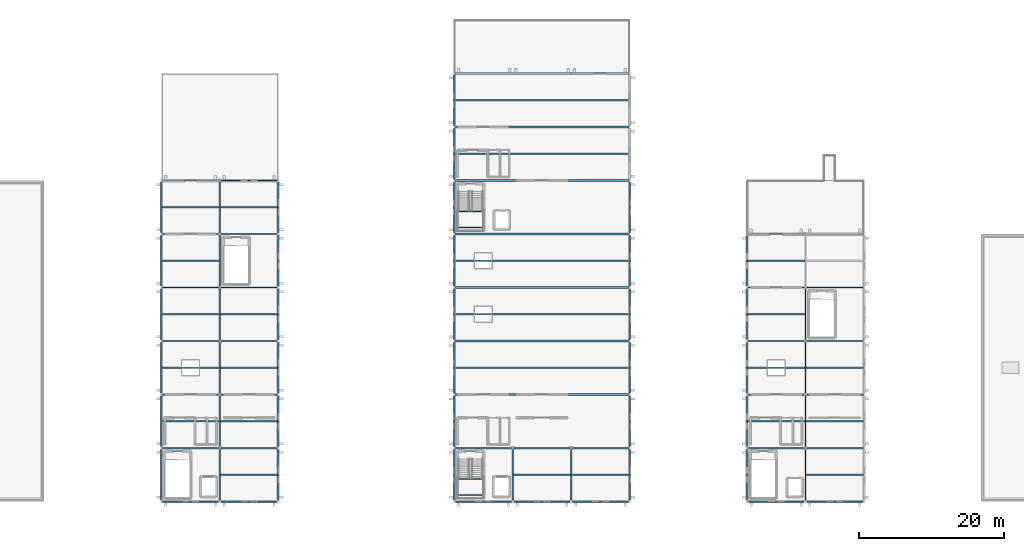
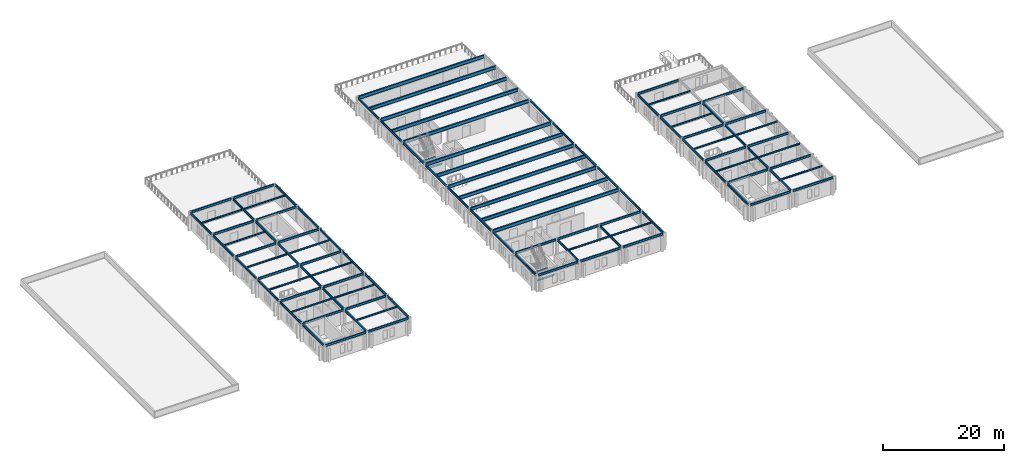
# One storey, part 6 of 19: 109 beams.
"""IFC4 building model written with IfcOpenShell, lengths in metres."""

from ifc_helpers import new_model, si_unit, direction, frame, origin, origin_2d, place, context, subcontext, project, spatial, i_section, extrude, material, material_profile, profile_set, type_object, element, save


model = new_model("IFC4")

# Units and contexts
model_context = context("Model", 3, precision=1e-05, world=origin(), true_north=direction((0.0, 1.0)))
body_context = subcontext(model_context, "Body", "Model", "MODEL_VIEW")
ifc_project = project(units=[si_unit("LENGTHUNIT", "METRE"), si_unit("AREAUNIT", "SQUARE_METRE"), si_unit("VOLUMEUNIT", "CUBIC_METRE"), si_unit("PLANEANGLEUNIT", "RADIAN"), si_unit("MASSUNIT", "GRAM", prefix="KILO")], contexts=[model_context])

# Site, building, storey
site_placement = place(None, origin())
site = spatial("IfcSite", under=ifc_project, at=site_placement, CompositionType="ELEMENT")
building_placement = place(site_placement, origin())
building = spatial("IfcBuilding", under=site, at=building_placement, Name="Cimatlan Art Gallery", CompositionType="ELEMENT")
storey_placement = place(building_placement, frame((0.0, 0.0, 17.39990234375)))
storey = spatial("IfcBuildingStorey", under=building, at=storey_placement, Name="L04", CompositionType="ELEMENT", Elevation=17.39990234375)

# Beams
ifc_material = material(Name="Steel ASTM A992 Grade 50", Category="steel")
ifc_material_profile_1 = material_profile(ifc_material, i_section(OverallWidth=0.25390625, OverallDepth=0.68408203125, WebThickness=0.012451171875, FlangeThickness=0.018798828125, at=origin_2d()), Name="W27X94")
ifc_profile_set_1 = profile_set([ifc_material_profile_1], Name="Steel ASTM A992 Grade 50")
beam_type_1 = type_object("IfcBeamType", Name="BM-SPAN24-L05", PredefinedType="BEAM", material=ifc_profile_set_1)
beam_1_placement = place(storey_placement, frame((75.096923828125, 38.699951171875, 3.0380859375), z_axis=(1.0, 0.0, 0.0), x_axis=(0.0, 1.0, 0.0)))
element("IfcBeam", 1, at=beam_1_placement, inside=storey, type_object=beam_type_1, Name="BM-SP24-L04-05", PredefinedType="BEAM", context=body_context, shape_type="SweptSolid", body=[
    extrude(i_section(OverallWidth=0.25390625, OverallDepth=0.68408203125, WebThickness=0.012451171875, FlangeThickness=0.018798828125, at=origin_2d()), origin(), (0.0, 0.0, 1.0), 23.906005859375),
])
beam_2_placement = place(storey_placement, frame((74.99560546875, 42.39990234375, 3.0380859375), z_axis=(1.0, 0.0, 0.0), x_axis=(0.0, 1.0, 0.0)))
element("IfcBeam", 2, at=beam_2_placement, inside=storey, type_object=beam_type_1, Name="BM-SP24M-L04-05", PredefinedType="BEAM", context=body_context, shape_type="SweptSolid", body=[
    extrude(i_section(OverallWidth=0.25390625, OverallDepth=0.68408203125, WebThickness=0.012451171875, FlangeThickness=0.018798828125, at=origin_2d()), origin(), (0.0, 0.0, 1.0), 24.10888671875),
])
beam_3_placement = place(storey_placement, frame((75.096923828125, 46.10009765625, 3.0380859375), z_axis=(1.0, 0.0, 0.0), x_axis=(0.0, 1.0, 0.0)))
element("IfcBeam", 3, at=beam_3_placement, inside=storey, type_object=beam_type_1, Name="BM-SP24-L04-06", PredefinedType="BEAM", context=body_context, shape_type="SweptSolid", body=[
    extrude(i_section(OverallWidth=0.25390625, OverallDepth=0.68408203125, WebThickness=0.012451171875, FlangeThickness=0.018798828125, at=origin_2d()), origin(), (0.0, 0.0, 1.0), 23.906005859375),
])
beam_4_placement = place(storey_placement, frame((74.99560546875, 49.800048828125, 3.0380859375), z_axis=(1.0, 0.0, 0.0), x_axis=(0.0, 1.0, 0.0)))
element("IfcBeam", 4, at=beam_4_placement, inside=storey, type_object=beam_type_1, Name="BM-SP24M-L04-06", PredefinedType="BEAM", context=body_context, shape_type="SweptSolid", body=[
    extrude(i_section(OverallWidth=0.25390625, OverallDepth=0.68408203125, WebThickness=0.012451171875, FlangeThickness=0.018798828125, at=origin_2d()), origin(), (0.0, 0.0, 1.0), 24.10888671875),
])
beam_5_placement = place(storey_placement, frame((75.096923828125, 53.5, 3.0380859375), z_axis=(1.0, 0.0, 0.0), x_axis=(0.0, 1.0, 0.0)))
element("IfcBeam", 5, at=beam_5_placement, inside=storey, type_object=beam_type_1, Name="BM-SP24-L04-07", PredefinedType="BEAM", context=body_context, shape_type="SweptSolid", body=[
    extrude(i_section(OverallWidth=0.25390625, OverallDepth=0.68408203125, WebThickness=0.012451171875, FlangeThickness=0.018798828125, at=origin_2d()), origin(), (0.0, 0.0, 1.0), 23.906005859375),
])
beam_6_placement = place(storey_placement, frame((74.99560546875, 57.199951171875, 3.0380859375), z_axis=(1.0, 0.0, 0.0), x_axis=(0.0, 1.0, 0.0)))
element("IfcBeam", 6, at=beam_6_placement, inside=storey, type_object=beam_type_1, Name="BM-SP24M-L04-07", PredefinedType="BEAM", context=body_context, shape_type="SweptSolid", body=[
    extrude(i_section(OverallWidth=0.25390625, OverallDepth=0.68408203125, WebThickness=0.012451171875, FlangeThickness=0.018798828125, at=origin_2d()), origin(), (0.0, 0.0, 1.0), 24.10888671875),
])
for number, where, z_axis, x_axis, name in (
    (7, (75.096923828125, 60.89990234375, 3.0380859375), (1.0, 0.0, 0.0), (0.0, 1.0, 0.0), "BM-SP24-L04-08"),
    (8, (75.096923828125, 68.300048828125, 3.0380859375), (1.0, 0.0, 0.0), (0.0, 1.0, 0.0), "BM-SP24-L04-09"),
):
    element("IfcBeam", number, at=place(storey_placement, frame(where, z_axis=z_axis, x_axis=x_axis)), inside=storey, type_object=beam_type_1, Name=name, PredefinedType="BEAM", context=body_context, shape_type="SweptSolid", body=[
        extrude(i_section(OverallWidth=0.25390625, OverallDepth=0.68408203125, WebThickness=0.012451171875, FlangeThickness=0.018798828125, at=origin_2d()), origin(), (0.0, 0.0, 1.0), 23.906005859375),
    ])
beam_7_placement = place(storey_placement, frame((74.99560546875, 72.0, 3.0380859375), z_axis=(1.0, 0.0, 0.0), x_axis=(0.0, 1.0, 0.0)))
element("IfcBeam", 9, at=beam_7_placement, inside=storey, type_object=beam_type_1, Name="BM-SP24M-L04-09", PredefinedType="BEAM", context=body_context, shape_type="SweptSolid", body=[
    extrude(i_section(OverallWidth=0.25390625, OverallDepth=0.68408203125, WebThickness=0.012451171875, FlangeThickness=0.018798828125, at=origin_2d()), origin(), (0.0, 0.0, 1.0), 24.10888671875),
])
beam_8_placement = place(storey_placement, frame((75.096923828125, 75.699951171875, 3.0380859375), z_axis=(1.0, 0.0, 0.0), x_axis=(0.0, 1.0, 0.0)))
element("IfcBeam", 10, at=beam_8_placement, inside=storey, type_object=beam_type_1, Name="BM-SP24-L04-10", PredefinedType="BEAM", context=body_context, shape_type="SweptSolid", body=[
    extrude(i_section(OverallWidth=0.25390625, OverallDepth=0.68408203125, WebThickness=0.012451171875, FlangeThickness=0.018798828125, at=origin_2d()), origin(), (0.0, 0.0, 1.0), 23.906005859375),
])
beam_9_placement = place(storey_placement, frame((74.99560546875, 79.39990234375, 3.0380859375), z_axis=(1.0, 0.0, 0.0), x_axis=(0.0, 1.0, 0.0)))
element("IfcBeam", 11, at=beam_9_placement, inside=storey, type_object=beam_type_1, Name="BM-SP24M-L04-10", PredefinedType="BEAM", context=body_context, shape_type="SweptSolid", body=[
    extrude(i_section(OverallWidth=0.25390625, OverallDepth=0.68408203125, WebThickness=0.012451171875, FlangeThickness=0.018798828125, at=origin_2d()), origin(), (0.0, 0.0, 1.0), 24.10888671875),
])
beam_10_placement = place(storey_placement, frame((75.096923828125, 83.10009765625, 3.0380859375), z_axis=(1.0, 0.0, 0.0), x_axis=(0.0, 1.0, 0.0)))
element("IfcBeam", 12, at=beam_10_placement, inside=storey, type_object=beam_type_1, Name="BM-SP24-L04-11", PredefinedType="BEAM", context=body_context, shape_type="SweptSolid", body=[
    extrude(i_section(OverallWidth=0.25390625, OverallDepth=0.68408203125, WebThickness=0.012451171875, FlangeThickness=0.018798828125, at=origin_2d()), origin(), (0.0, 0.0, 1.0), 23.906005859375),
])
ifc_material_profile_2 = material_profile(ifc_material, i_section(OverallWidth=0.1650390625, OverallDepth=0.31005859375, WebThickness=0.005859375, FlangeThickness=0.009765625, at=origin_2d()), Name="W12X26")
ifc_profile_set_2 = profile_set([ifc_material_profile_2], Name="Steel ASTM A992 Grade 50")
beam_type_2 = type_object("IfcBeamType", Name="BM-STL-W12X26", PredefinedType="JOIST", material=ifc_profile_set_2)
for number, where, z_axis, x_axis, name in (
    (13, (34.49560546875, 35.0, 3.22509765625), (1.0, 0.0, 0.0), (0.0, 1.0, 0.0), "JST-L04-04-04"),
    (14, (34.49560546875, 42.39990234375, 3.22509765625), (1.0, 0.0, 0.0), (0.0, 1.0, 0.0), "JST-L04-04-05"),
    (15, (34.49560546875, 49.800048828125, 3.22509765625), (1.0, 0.0, 0.0), (0.0, 1.0, 0.0), "JST-L04-04-06"),
    (16, (34.49560546875, 57.199951171875, 3.22509765625), (1.0, 0.0, 0.0), (0.0, 1.0, 0.0), "JST-L04-04-07"),
    (17, (34.49560546875, 64.60009765625, 3.22509765625), (1.0, 0.0, 0.0), (0.0, 1.0, 0.0), "JST-L04-04-08"),
    (18, (42.595458984375, 27.60009765625, 3.22509765625), (1.0, 0.0, 0.0), (0.0, 1.0, 0.0), "JST-L04-05-03"),
    (19, (42.595458984375, 35.0, 3.22509765625), (1.0, 0.0, 0.0), (0.0, 1.0, 0.0), "JST-L04-05-04"),
    (20, (42.595458984375, 42.39990234375, 3.22509765625), (1.0, 0.0, 0.0), (0.0, 1.0, 0.0), "JST-L04-05-05"),
    (21, (42.595458984375, 49.800048828125, 3.22509765625), (1.0, 0.0, 0.0), (0.0, 1.0, 0.0), "JST-L04-05-06"),
    (22, (42.595458984375, 64.60009765625, 3.22509765625), (1.0, 0.0, 0.0), (0.0, 1.0, 0.0), "JST-L04-05-08"),
    (23, (83.095458984375, 27.60009765625, 3.22509765625), (1.0, 0.0, 0.0), (0.0, 1.0, 0.0), "JST-L04-10-03"),
    (24, (91.195556640625, 27.60009765625, 3.22509765625), (1.0, 0.0, 0.0), (0.0, 1.0, 0.0), "JST-L04-11-03"),
    (25, (115.49560546875, 35.0, 3.22509765625), (1.0, 0.0, 0.0), (0.0, 1.0, 0.0), "JST-L04-14-04"),
    (26, (115.49560546875, 42.39990234375, 3.22509765625), (1.0, 0.0, 0.0), (0.0, 1.0, 0.0), "JST-L04-14-05"),
    (27, (115.49560546875, 49.800048828125, 3.22509765625), (1.0, 0.0, 0.0), (0.0, 1.0, 0.0), "JST-L04-14-06"),
    (28, (115.49560546875, 57.199951171875, 3.22509765625), (1.0, 0.0, 0.0), (0.0, 1.0, 0.0), "JST-L04-14-07"),
    (29, (123.595458984375, 27.60009765625, 3.22509765625), (1.0, 0.0, 0.0), (0.0, 1.0, 0.0), "JST-L04-15-03"),
    (30, (123.595458984375, 35.0, 3.22509765625), (1.0, 0.0, 0.0), (0.0, 1.0, 0.0), "JST-L04-15-04"),
    (31, (123.595458984375, 42.39990234375, 3.22509765625), (1.0, 0.0, 0.0), (0.0, 1.0, 0.0), "JST-L04-15-05"),
):
    element("IfcBeam", number, at=place(storey_placement, frame(where, z_axis=z_axis, x_axis=x_axis)), inside=storey, type_object=beam_type_2, Name=name, PredefinedType="JOIST", context=body_context, shape_type="SweptSolid", body=[
        extrude(i_section(OverallWidth=0.1650390625, OverallDepth=0.31005859375, WebThickness=0.005859375, FlangeThickness=0.009765625, at=origin_2d()), origin(), (0.0, 0.0, 1.0), 7.908935546875),
    ])
for number, where, z_axis, x_axis, name in (
    (32, (75.514892578125, 24.800048828125, 1.425048828125), (1.0, 0.0, 0.0), (0.0, 1.0, 0.0), "BM-STR-C3-L04-LH1"),
    (33, (75.514892578125, 27.030029296875, 1.425048828125), (1.0, 0.0, 0.0), (0.0, 1.0, 0.0), "BM-STR-C3-L04-LH2"),
    (34, (75.514892578125, 61.800048828125, 1.425048828125), (1.0, 0.0, 0.0), (0.0, 1.0, 0.0), "BM-STR-C6-L04-LH1"),
    (35, (75.514892578125, 64.030029296875, 1.425048828125), (1.0, 0.0, 0.0), (0.0, 1.0, 0.0), "BM-STR-C6-L04-LH2"),
):
    element("IfcBeam", number, at=place(storey_placement, frame(where, z_axis=z_axis, x_axis=x_axis)), inside=storey, type_object=beam_type_2, Name=name, PredefinedType="JOIST", context=body_context, shape_type="SweptSolid", body=[
        extrude(i_section(OverallWidth=0.1650390625, OverallDepth=0.31005859375, WebThickness=0.005859375, FlangeThickness=0.009765625, at=origin_2d()), origin(), (0.0, 0.0, 1.0), 3.2900390625),
    ])
ifc_material_profile_3 = material_profile(ifc_material, i_section(OverallWidth=0.19091796875, OverallDepth=0.45703125, WebThickness=0.009033203125, FlangeThickness=0.014404296875, at=origin_2d()), Name="W18X50")
ifc_profile_set_3 = profile_set([ifc_material_profile_3], Name="Steel ASTM A992 Grade 50")
beam_type_3 = type_object("IfcBeamType", Name="BM-STL-W18X50", PredefinedType="BEAM", material=ifc_profile_set_3)
beam_11_placement = place(storey_placement, frame((34.39990234375, 24.08203125, 3.151611328125), z_axis=(0.0, 1.0, 0.0), x_axis=(-1.0, 0.0, 0.0)))
element("IfcBeam", 36, at=beam_11_placement, inside=storey, type_object=beam_type_3, Name="BM-Y-L04-04-03", PredefinedType="BEAM", context=body_context, shape_type="SweptSolid", body=[
    extrude(i_section(OverallWidth=0.19091796875, OverallDepth=0.45703125, WebThickness=0.009033203125, FlangeThickness=0.014404296875, at=origin_2d()), origin(), (0.0, 0.0, 1.0), 7.035888671875),
])
beam_12_placement = place(storey_placement, frame((34.39990234375, 31.48193359375, 3.151611328125), z_axis=(0.0, 1.0, 0.0), x_axis=(-1.0, 0.0, 0.0)))
element("IfcBeam", 37, at=beam_12_placement, inside=storey, type_object=beam_type_3, Name="BM-Y-L04-04-04", PredefinedType="BEAM", context=body_context, shape_type="SweptSolid", body=[
    extrude(i_section(OverallWidth=0.19091796875, OverallDepth=0.45703125, WebThickness=0.009033203125, FlangeThickness=0.014404296875, at=origin_2d()), origin(), (0.0, 0.0, 1.0), 7.0361328125),
])
beam_13_placement = place(storey_placement, frame((34.39990234375, 38.882080078125, 3.151611328125), z_axis=(0.0, 1.0, 0.0), x_axis=(-1.0, 0.0, 0.0)))
element("IfcBeam", 38, at=beam_13_placement, inside=storey, type_object=beam_type_3, Name="BM-Y-L04-04-05", PredefinedType="BEAM", context=body_context, shape_type="SweptSolid", body=[
    extrude(i_section(OverallWidth=0.19091796875, OverallDepth=0.45703125, WebThickness=0.009033203125, FlangeThickness=0.014404296875, at=origin_2d()), origin(), (0.0, 0.0, 1.0), 7.035888671875),
])
for number, where, z_axis, x_axis, name in (
    (39, (34.39990234375, 46.281982421875, 3.151611328125), (0.0, 1.0, 0.0), (-1.0, 0.0, 0.0), "BM-Y-L04-04-06"),
    (40, (34.39990234375, 53.681884765625, 3.151611328125), (0.0, 1.0, 0.0), (-1.0, 0.0, 0.0), "BM-Y-L04-04-07"),
):
    element("IfcBeam", number, at=place(storey_placement, frame(where, z_axis=z_axis, x_axis=x_axis)), inside=storey, type_object=beam_type_3, Name=name, PredefinedType="BEAM", context=body_context, shape_type="SweptSolid", body=[
        extrude(i_section(OverallWidth=0.19091796875, OverallDepth=0.45703125, WebThickness=0.009033203125, FlangeThickness=0.014404296875, at=origin_2d()), origin(), (0.0, 0.0, 1.0), 7.0361328125),
    ])
beam_14_placement = place(storey_placement, frame((34.39990234375, 61.08203125, 3.151611328125), z_axis=(0.0, 1.0, 0.0), x_axis=(-1.0, 0.0, 0.0)))
element("IfcBeam", 41, at=beam_14_placement, inside=storey, type_object=beam_type_3, Name="BM-Y-L04-04-08", PredefinedType="BEAM", context=body_context, shape_type="SweptSolid", body=[
    extrude(i_section(OverallWidth=0.19091796875, OverallDepth=0.45703125, WebThickness=0.009033203125, FlangeThickness=0.014404296875, at=origin_2d()), origin(), (0.0, 0.0, 1.0), 7.035888671875),
])
beam_15_placement = place(storey_placement, frame((42.5, 24.0859375, 3.151611328125), z_axis=(0.0, 1.0, 0.0), x_axis=(-1.0, 0.0, 0.0)))
element("IfcBeam", 42, at=beam_15_placement, inside=storey, type_object=beam_type_3, Name="BM-Y-L04-05-03", PredefinedType="BEAM", context=body_context, shape_type="SweptSolid", body=[
    extrude(i_section(OverallWidth=0.19091796875, OverallDepth=0.45703125, WebThickness=0.009033203125, FlangeThickness=0.014404296875, at=origin_2d()), origin(), (0.0, 0.0, 1.0), 7.028076171875),
])
beam_16_placement = place(storey_placement, frame((42.5, 31.486083984375, 3.151611328125), z_axis=(0.0, 1.0, 0.0), x_axis=(-1.0, 0.0, 0.0)))
element("IfcBeam", 43, at=beam_16_placement, inside=storey, type_object=beam_type_3, Name="BM-Y-L04-05-04", PredefinedType="BEAM", context=body_context, shape_type="SweptSolid", body=[
    extrude(i_section(OverallWidth=0.19091796875, OverallDepth=0.45703125, WebThickness=0.009033203125, FlangeThickness=0.014404296875, at=origin_2d()), origin(), (0.0, 0.0, 1.0), 7.02783203125),
])
for number, where, z_axis, x_axis, name in (
    (44, (42.5, 38.885986328125, 3.151611328125), (0.0, 1.0, 0.0), (-1.0, 0.0, 0.0), "BM-Y-L04-05-05"),
    (45, (42.5, 46.285888671875, 3.151611328125), (0.0, 1.0, 0.0), (-1.0, 0.0, 0.0), "BM-Y-L04-05-06"),
    (46, (42.5, 53.68603515625, 3.151611328125), (0.0, 1.0, 0.0), (-1.0, 0.0, 0.0), "BM-Y-L04-05-07"),
    (47, (42.5, 61.0859375, 3.151611328125), (0.0, 1.0, 0.0), (-1.0, 0.0, 0.0), "BM-Y-L04-05-08"),
    (48, (50.60009765625, 24.0859375, 3.151611328125), (0.0, 1.0, 0.0), (-1.0, 0.0, 0.0), "BM-Y-L04-06-03"),
):
    element("IfcBeam", number, at=place(storey_placement, frame(where, z_axis=z_axis, x_axis=x_axis)), inside=storey, type_object=beam_type_3, Name=name, PredefinedType="BEAM", context=body_context, shape_type="SweptSolid", body=[
        extrude(i_section(OverallWidth=0.19091796875, OverallDepth=0.45703125, WebThickness=0.009033203125, FlangeThickness=0.014404296875, at=origin_2d()), origin(), (0.0, 0.0, 1.0), 7.028076171875),
    ])
beam_17_placement = place(storey_placement, frame((50.60009765625, 31.486083984375, 3.151611328125), z_axis=(0.0, 1.0, 0.0), x_axis=(-1.0, 0.0, 0.0)))
element("IfcBeam", 49, at=beam_17_placement, inside=storey, type_object=beam_type_3, Name="BM-Y-L04-06-04", PredefinedType="BEAM", context=body_context, shape_type="SweptSolid", body=[
    extrude(i_section(OverallWidth=0.19091796875, OverallDepth=0.45703125, WebThickness=0.009033203125, FlangeThickness=0.014404296875, at=origin_2d()), origin(), (0.0, 0.0, 1.0), 7.02783203125),
])
for number, where, z_axis, x_axis, name in (
    (50, (50.60009765625, 38.885986328125, 3.151611328125), (0.0, 1.0, 0.0), (-1.0, 0.0, 0.0), "BM-Y-L04-06-05"),
    (51, (50.60009765625, 46.285888671875, 3.151611328125), (0.0, 1.0, 0.0), (-1.0, 0.0, 0.0), "BM-Y-L04-06-06"),
    (52, (50.60009765625, 53.68603515625, 3.151611328125), (0.0, 1.0, 0.0), (-1.0, 0.0, 0.0), "BM-Y-L04-06-07"),
    (53, (50.60009765625, 61.0859375, 3.151611328125), (0.0, 1.0, 0.0), (-1.0, 0.0, 0.0), "BM-Y-L04-06-08"),
):
    element("IfcBeam", number, at=place(storey_placement, frame(where, z_axis=z_axis, x_axis=x_axis)), inside=storey, type_object=beam_type_3, Name=name, PredefinedType="BEAM", context=body_context, shape_type="SweptSolid", body=[
        extrude(i_section(OverallWidth=0.19091796875, OverallDepth=0.45703125, WebThickness=0.009033203125, FlangeThickness=0.014404296875, at=origin_2d()), origin(), (0.0, 0.0, 1.0), 7.028076171875),
    ])
beam_18_placement = place(storey_placement, frame((74.89990234375, 24.087890625, 3.151611328125), z_axis=(0.0, 1.0, 0.0), x_axis=(-1.0, 0.0, 0.0)))
element("IfcBeam", 54, at=beam_18_placement, inside=storey, type_object=beam_type_3, Name="BM-Y-L04-09-03", PredefinedType="BEAM", context=body_context, shape_type="SweptSolid", body=[
    extrude(i_section(OverallWidth=0.19091796875, OverallDepth=0.45703125, WebThickness=0.009033203125, FlangeThickness=0.014404296875, at=origin_2d()), origin(), (0.0, 0.0, 1.0), 7.024169921875),
])
beam_19_placement = place(storey_placement, frame((74.89990234375, 31.488037109375, 3.151611328125), z_axis=(0.0, 1.0, 0.0), x_axis=(-1.0, 0.0, 0.0)))
element("IfcBeam", 55, at=beam_19_placement, inside=storey, type_object=beam_type_3, Name="BM-Y-L04-09-04", PredefinedType="BEAM", context=body_context, shape_type="SweptSolid", body=[
    extrude(i_section(OverallWidth=0.19091796875, OverallDepth=0.45703125, WebThickness=0.009033203125, FlangeThickness=0.014404296875, at=origin_2d()), origin(), (0.0, 0.0, 1.0), 7.02392578125),
])
beam_20_placement = place(storey_placement, frame((74.89990234375, 38.887939453125, 3.151611328125), z_axis=(0.0, 1.0, 0.0), x_axis=(-1.0, 0.0, 0.0)))
element("IfcBeam", 56, at=beam_20_placement, inside=storey, type_object=beam_type_3, Name="BM-Y-L04-09-05", PredefinedType="BEAM", context=body_context, shape_type="SweptSolid", body=[
    extrude(i_section(OverallWidth=0.19091796875, OverallDepth=0.45703125, WebThickness=0.009033203125, FlangeThickness=0.014404296875, at=origin_2d()), origin(), (0.0, 0.0, 1.0), 7.024169921875),
])
for number, where, z_axis, x_axis, name in (
    (57, (74.89990234375, 46.2880859375, 3.151611328125), (0.0, 1.0, 0.0), (-1.0, 0.0, 0.0), "BM-Y-L04-09-06"),
    (58, (74.89990234375, 53.68798828125, 3.151611328125), (0.0, 1.0, 0.0), (-1.0, 0.0, 0.0), "BM-Y-L04-09-07"),
):
    element("IfcBeam", number, at=place(storey_placement, frame(where, z_axis=z_axis, x_axis=x_axis)), inside=storey, type_object=beam_type_3, Name=name, PredefinedType="BEAM", context=body_context, shape_type="SweptSolid", body=[
        extrude(i_section(OverallWidth=0.19091796875, OverallDepth=0.45703125, WebThickness=0.009033203125, FlangeThickness=0.014404296875, at=origin_2d()), origin(), (0.0, 0.0, 1.0), 7.02392578125),
    ])
beam_21_placement = place(storey_placement, frame((74.89990234375, 61.087890625, 3.151611328125), z_axis=(0.0, 1.0, 0.0), x_axis=(-1.0, 0.0, 0.0)))
element("IfcBeam", 59, at=beam_21_placement, inside=storey, type_object=beam_type_3, Name="BM-Y-L04-09-08", PredefinedType="BEAM", context=body_context, shape_type="SweptSolid", body=[
    extrude(i_section(OverallWidth=0.19091796875, OverallDepth=0.45703125, WebThickness=0.009033203125, FlangeThickness=0.014404296875, at=origin_2d()), origin(), (0.0, 0.0, 1.0), 7.024169921875),
])
beam_22_placement = place(storey_placement, frame((74.89990234375, 68.488037109375, 3.151611328125), z_axis=(0.0, 1.0, 0.0), x_axis=(-1.0, 0.0, 0.0)))
element("IfcBeam", 60, at=beam_22_placement, inside=storey, type_object=beam_type_3, Name="BM-Y-L04-09-09", PredefinedType="BEAM", context=body_context, shape_type="SweptSolid", body=[
    extrude(i_section(OverallWidth=0.19091796875, OverallDepth=0.45703125, WebThickness=0.009033203125, FlangeThickness=0.014404296875, at=origin_2d()), origin(), (0.0, 0.0, 1.0), 7.02392578125),
])
beam_23_placement = place(storey_placement, frame((74.89990234375, 75.887939453125, 3.151611328125), z_axis=(0.0, 1.0, 0.0), x_axis=(-1.0, 0.0, 0.0)))
element("IfcBeam", 61, at=beam_23_placement, inside=storey, type_object=beam_type_3, Name="BM-Y-L04-09-10", PredefinedType="BEAM", context=body_context, shape_type="SweptSolid", body=[
    extrude(i_section(OverallWidth=0.19091796875, OverallDepth=0.45703125, WebThickness=0.009033203125, FlangeThickness=0.014404296875, at=origin_2d()), origin(), (0.0, 0.0, 1.0), 7.024169921875),
])
for number, where, z_axis, x_axis, name in (
    (62, (83.0, 24.0859375, 3.151611328125), (0.0, 1.0, 0.0), (-1.0, 0.0, 0.0), "BM-Y-L04-10-03"),
    (63, (91.10009765625, 24.0859375, 3.151611328125), (0.0, 1.0, 0.0), (-1.0, 0.0, 0.0), "BM-Y-L04-11-03"),
):
    element("IfcBeam", number, at=place(storey_placement, frame(where, z_axis=z_axis, x_axis=x_axis)), inside=storey, type_object=beam_type_3, Name=name, PredefinedType="BEAM", context=body_context, shape_type="SweptSolid", body=[
        extrude(i_section(OverallWidth=0.19091796875, OverallDepth=0.45703125, WebThickness=0.009033203125, FlangeThickness=0.014404296875, at=origin_2d()), origin(), (0.0, 0.0, 1.0), 7.028076171875),
    ])
beam_24_placement = place(storey_placement, frame((99.199951171875, 24.087890625, 3.151611328125), z_axis=(0.0, 1.0, 0.0), x_axis=(-1.0, 0.0, 0.0)))
element("IfcBeam", 64, at=beam_24_placement, inside=storey, type_object=beam_type_3, Name="BM-Y-L04-12-03", PredefinedType="BEAM", context=body_context, shape_type="SweptSolid", body=[
    extrude(i_section(OverallWidth=0.19091796875, OverallDepth=0.45703125, WebThickness=0.009033203125, FlangeThickness=0.014404296875, at=origin_2d()), origin(), (0.0, 0.0, 1.0), 7.024169921875),
])
beam_25_placement = place(storey_placement, frame((99.199951171875, 31.488037109375, 3.151611328125), z_axis=(0.0, 1.0, 0.0), x_axis=(-1.0, 0.0, 0.0)))
element("IfcBeam", 65, at=beam_25_placement, inside=storey, type_object=beam_type_3, Name="BM-Y-L04-12-04", PredefinedType="BEAM", context=body_context, shape_type="SweptSolid", body=[
    extrude(i_section(OverallWidth=0.19091796875, OverallDepth=0.45703125, WebThickness=0.009033203125, FlangeThickness=0.014404296875, at=origin_2d()), origin(), (0.0, 0.0, 1.0), 7.02392578125),
])
beam_26_placement = place(storey_placement, frame((99.199951171875, 38.887939453125, 3.151611328125), z_axis=(0.0, 1.0, 0.0), x_axis=(-1.0, 0.0, 0.0)))
element("IfcBeam", 66, at=beam_26_placement, inside=storey, type_object=beam_type_3, Name="BM-Y-L04-12-05", PredefinedType="BEAM", context=body_context, shape_type="SweptSolid", body=[
    extrude(i_section(OverallWidth=0.19091796875, OverallDepth=0.45703125, WebThickness=0.009033203125, FlangeThickness=0.014404296875, at=origin_2d()), origin(), (0.0, 0.0, 1.0), 7.024169921875),
])
for number, where, z_axis, x_axis, name in (
    (67, (99.199951171875, 46.2880859375, 3.151611328125), (0.0, 1.0, 0.0), (-1.0, 0.0, 0.0), "BM-Y-L04-12-06"),
    (68, (99.199951171875, 53.68798828125, 3.151611328125), (0.0, 1.0, 0.0), (-1.0, 0.0, 0.0), "BM-Y-L04-12-07"),
):
    element("IfcBeam", number, at=place(storey_placement, frame(where, z_axis=z_axis, x_axis=x_axis)), inside=storey, type_object=beam_type_3, Name=name, PredefinedType="BEAM", context=body_context, shape_type="SweptSolid", body=[
        extrude(i_section(OverallWidth=0.19091796875, OverallDepth=0.45703125, WebThickness=0.009033203125, FlangeThickness=0.014404296875, at=origin_2d()), origin(), (0.0, 0.0, 1.0), 7.02392578125),
    ])
beam_27_placement = place(storey_placement, frame((99.199951171875, 61.087890625, 3.151611328125), z_axis=(0.0, 1.0, 0.0), x_axis=(-1.0, 0.0, 0.0)))
element("IfcBeam", 69, at=beam_27_placement, inside=storey, type_object=beam_type_3, Name="BM-Y-L04-12-08", PredefinedType="BEAM", context=body_context, shape_type="SweptSolid", body=[
    extrude(i_section(OverallWidth=0.19091796875, OverallDepth=0.45703125, WebThickness=0.009033203125, FlangeThickness=0.014404296875, at=origin_2d()), origin(), (0.0, 0.0, 1.0), 7.024169921875),
])
beam_28_placement = place(storey_placement, frame((115.39990234375, 24.0859375, 3.151611328125), z_axis=(0.0, 1.0, 0.0), x_axis=(-1.0, 0.0, 0.0)))
element("IfcBeam", 70, at=beam_28_placement, inside=storey, type_object=beam_type_3, Name="BM-Y-L04-14-03", PredefinedType="BEAM", context=body_context, shape_type="SweptSolid", body=[
    extrude(i_section(OverallWidth=0.19091796875, OverallDepth=0.45703125, WebThickness=0.009033203125, FlangeThickness=0.014404296875, at=origin_2d()), origin(), (0.0, 0.0, 1.0), 7.028076171875),
])
beam_29_placement = place(storey_placement, frame((115.39990234375, 31.486083984375, 3.151611328125), z_axis=(0.0, 1.0, 0.0), x_axis=(-1.0, 0.0, 0.0)))
element("IfcBeam", 71, at=beam_29_placement, inside=storey, type_object=beam_type_3, Name="BM-Y-L04-14-04", PredefinedType="BEAM", context=body_context, shape_type="SweptSolid", body=[
    extrude(i_section(OverallWidth=0.19091796875, OverallDepth=0.45703125, WebThickness=0.009033203125, FlangeThickness=0.014404296875, at=origin_2d()), origin(), (0.0, 0.0, 1.0), 7.02783203125),
])
for number, where, z_axis, x_axis, name in (
    (72, (115.39990234375, 38.885986328125, 3.151611328125), (0.0, 1.0, 0.0), (-1.0, 0.0, 0.0), "BM-Y-L04-14-05"),
    (73, (115.39990234375, 46.285888671875, 3.151611328125), (0.0, 1.0, 0.0), (-1.0, 0.0, 0.0), "BM-Y-L04-14-06"),
    (74, (115.39990234375, 53.68603515625, 3.151611328125), (0.0, 1.0, 0.0), (-1.0, 0.0, 0.0), "BM-Y-L04-14-07"),
    (75, (123.5, 24.0859375, 3.151611328125), (0.0, 1.0, 0.0), (-1.0, 0.0, 0.0), "BM-Y-L04-15-03"),
):
    element("IfcBeam", number, at=place(storey_placement, frame(where, z_axis=z_axis, x_axis=x_axis)), inside=storey, type_object=beam_type_3, Name=name, PredefinedType="BEAM", context=body_context, shape_type="SweptSolid", body=[
        extrude(i_section(OverallWidth=0.19091796875, OverallDepth=0.45703125, WebThickness=0.009033203125, FlangeThickness=0.014404296875, at=origin_2d()), origin(), (0.0, 0.0, 1.0), 7.028076171875),
    ])
beam_30_placement = place(storey_placement, frame((123.5, 31.486083984375, 3.151611328125), z_axis=(0.0, 1.0, 0.0), x_axis=(-1.0, 0.0, 0.0)))
element("IfcBeam", 76, at=beam_30_placement, inside=storey, type_object=beam_type_3, Name="BM-Y-L04-15-04", PredefinedType="BEAM", context=body_context, shape_type="SweptSolid", body=[
    extrude(i_section(OverallWidth=0.19091796875, OverallDepth=0.45703125, WebThickness=0.009033203125, FlangeThickness=0.014404296875, at=origin_2d()), origin(), (0.0, 0.0, 1.0), 7.02783203125),
])
for number, where, z_axis, x_axis, name in (
    (77, (123.5, 38.885986328125, 3.151611328125), (0.0, 1.0, 0.0), (-1.0, 0.0, 0.0), "BM-Y-L04-15-05"),
    (78, (123.5, 46.285888671875, 3.151611328125), (0.0, 1.0, 0.0), (-1.0, 0.0, 0.0), "BM-Y-L04-15-06"),
):
    element("IfcBeam", number, at=place(storey_placement, frame(where, z_axis=z_axis, x_axis=x_axis)), inside=storey, type_object=beam_type_3, Name=name, PredefinedType="BEAM", context=body_context, shape_type="SweptSolid", body=[
        extrude(i_section(OverallWidth=0.19091796875, OverallDepth=0.45703125, WebThickness=0.009033203125, FlangeThickness=0.014404296875, at=origin_2d()), origin(), (0.0, 0.0, 1.0), 7.028076171875),
    ])
for number, where, z_axis, x_axis, name in (
    (79, (34.58544921875, 23.89990234375, 3.151611328125), (1.0, 0.0, 0.0), (0.0, 1.0, 0.0), "BM-X-L04-04-03"),
    (80, (34.58544921875, 31.300048828125, 3.151611328125), (1.0, 0.0, 0.0), (0.0, 1.0, 0.0), "BM-X-L04-04-04"),
    (81, (34.58544921875, 38.699951171875, 3.151611328125), (1.0, 0.0, 0.0), (0.0, 1.0, 0.0), "BM-X-L04-04-05"),
    (82, (34.58544921875, 46.10009765625, 3.151611328125), (1.0, 0.0, 0.0), (0.0, 1.0, 0.0), "BM-X-L04-04-06"),
    (83, (34.58544921875, 53.5, 3.151611328125), (1.0, 0.0, 0.0), (0.0, 1.0, 0.0), "BM-X-L04-04-07"),
    (84, (34.58544921875, 60.89990234375, 3.151611328125), (1.0, 0.0, 0.0), (0.0, 1.0, 0.0), "BM-X-L04-04-08"),
    (85, (34.58544921875, 68.300048828125, 3.151611328125), (1.0, 0.0, 0.0), (0.0, 1.0, 0.0), "BM-X-L04-04-09"),
):
    element("IfcBeam", number, at=place(storey_placement, frame(where, z_axis=z_axis, x_axis=x_axis)), inside=storey, type_object=beam_type_3, Name=name, PredefinedType="BEAM", context=body_context, shape_type="SweptSolid", body=[
        extrude(i_section(OverallWidth=0.19091796875, OverallDepth=0.45703125, WebThickness=0.009033203125, FlangeThickness=0.014404296875, at=origin_2d()), origin(), (0.0, 0.0, 1.0), 7.7275390625),
    ])
for number, where, z_axis, x_axis, name in (
    (86, (42.68701171875, 23.89990234375, 3.151611328125), (1.0, 0.0, 0.0), (0.0, 1.0, 0.0), "BM-X-L04-05-03"),
    (87, (42.68701171875, 31.300048828125, 3.151611328125), (1.0, 0.0, 0.0), (0.0, 1.0, 0.0), "BM-X-L04-05-04"),
    (88, (42.68701171875, 38.699951171875, 3.151611328125), (1.0, 0.0, 0.0), (0.0, 1.0, 0.0), "BM-X-L04-05-05"),
    (89, (42.68701171875, 46.10009765625, 3.151611328125), (1.0, 0.0, 0.0), (0.0, 1.0, 0.0), "BM-X-L04-05-06"),
    (90, (42.68701171875, 53.5, 3.151611328125), (1.0, 0.0, 0.0), (0.0, 1.0, 0.0), "BM-X-L04-05-07"),
    (91, (42.68701171875, 60.89990234375, 3.151611328125), (1.0, 0.0, 0.0), (0.0, 1.0, 0.0), "BM-X-L04-05-08"),
    (92, (42.68701171875, 68.300048828125, 3.151611328125), (1.0, 0.0, 0.0), (0.0, 1.0, 0.0), "BM-X-L04-05-09"),
):
    element("IfcBeam", number, at=place(storey_placement, frame(where, z_axis=z_axis, x_axis=x_axis)), inside=storey, type_object=beam_type_3, Name=name, PredefinedType="BEAM", context=body_context, shape_type="SweptSolid", body=[
        extrude(i_section(OverallWidth=0.19091796875, OverallDepth=0.45703125, WebThickness=0.009033203125, FlangeThickness=0.014404296875, at=origin_2d()), origin(), (0.0, 0.0, 1.0), 7.72607421875),
    ])
for number, where, z_axis, x_axis, name in (
    (93, (75.096923828125, 23.89990234375, 3.151611328125), (1.0, 0.0, 0.0), (0.0, 1.0, 0.0), "BM-X-L04-09-03"),
    (94, (75.096923828125, 31.300048828125, 3.151611328125), (1.0, 0.0, 0.0), (0.0, 1.0, 0.0), "BM-X-L04-09-04"),
):
    element("IfcBeam", number, at=place(storey_placement, frame(where, z_axis=z_axis, x_axis=x_axis)), inside=storey, type_object=beam_type_3, Name=name, PredefinedType="BEAM", context=body_context, shape_type="SweptSolid", body=[
        extrude(i_section(OverallWidth=0.19091796875, OverallDepth=0.45703125, WebThickness=0.009033203125, FlangeThickness=0.014404296875, at=origin_2d()), origin(), (0.0, 0.0, 1.0), 7.716064453125),
    ])
for number, where, z_axis, x_axis, name in (
    (95, (83.18701171875, 23.89990234375, 3.151611328125), (1.0, 0.0, 0.0), (0.0, 1.0, 0.0), "BM-X-L04-10-03"),
    (96, (83.18701171875, 31.300048828125, 3.151611328125), (1.0, 0.0, 0.0), (0.0, 1.0, 0.0), "BM-X-L04-10-04"),
):
    element("IfcBeam", number, at=place(storey_placement, frame(where, z_axis=z_axis, x_axis=x_axis)), inside=storey, type_object=beam_type_3, Name=name, PredefinedType="BEAM", context=body_context, shape_type="SweptSolid", body=[
        extrude(i_section(OverallWidth=0.19091796875, OverallDepth=0.45703125, WebThickness=0.009033203125, FlangeThickness=0.014404296875, at=origin_2d()), origin(), (0.0, 0.0, 1.0), 7.72607421875),
    ])
for number, where, z_axis, x_axis, name in (
    (97, (91.287109375, 23.89990234375, 3.151611328125), (1.0, 0.0, 0.0), (0.0, 1.0, 0.0), "BM-X-L04-11-03"),
    (98, (91.287109375, 31.300048828125, 3.151611328125), (1.0, 0.0, 0.0), (0.0, 1.0, 0.0), "BM-X-L04-11-04"),
):
    element("IfcBeam", number, at=place(storey_placement, frame(where, z_axis=z_axis, x_axis=x_axis)), inside=storey, type_object=beam_type_3, Name=name, PredefinedType="BEAM", context=body_context, shape_type="SweptSolid", body=[
        extrude(i_section(OverallWidth=0.19091796875, OverallDepth=0.45703125, WebThickness=0.009033203125, FlangeThickness=0.014404296875, at=origin_2d()), origin(), (0.0, 0.0, 1.0), 7.7158203125),
    ])
for number, where, z_axis, x_axis, name in (
    (99, (115.5869140625, 23.89990234375, 3.151611328125), (1.0, 0.0, 0.0), (0.0, 1.0, 0.0), "BM-X-L04-14-03"),
    (100, (115.5869140625, 31.300048828125, 3.151611328125), (1.0, 0.0, 0.0), (0.0, 1.0, 0.0), "BM-X-L04-14-04"),
    (101, (115.5869140625, 38.699951171875, 3.151611328125), (1.0, 0.0, 0.0), (0.0, 1.0, 0.0), "BM-X-L04-14-05"),
    (102, (115.5869140625, 46.10009765625, 3.151611328125), (1.0, 0.0, 0.0), (0.0, 1.0, 0.0), "BM-X-L04-14-06"),
    (103, (115.5869140625, 53.5, 3.151611328125), (1.0, 0.0, 0.0), (0.0, 1.0, 0.0), "BM-X-L04-14-07"),
    (104, (115.5869140625, 60.89990234375, 3.151611328125), (1.0, 0.0, 0.0), (0.0, 1.0, 0.0), "BM-X-L04-14-08"),
    (105, (123.68701171875, 23.89990234375, 3.151611328125), (1.0, 0.0, 0.0), (0.0, 1.0, 0.0), "BM-X-L04-15-03"),
    (106, (123.68701171875, 31.300048828125, 3.151611328125), (1.0, 0.0, 0.0), (0.0, 1.0, 0.0), "BM-X-L04-15-04"),
    (107, (123.68701171875, 38.699951171875, 3.151611328125), (1.0, 0.0, 0.0), (0.0, 1.0, 0.0), "BM-X-L04-15-05"),
    (108, (123.68701171875, 46.10009765625, 3.151611328125), (1.0, 0.0, 0.0), (0.0, 1.0, 0.0), "BM-X-L04-15-06"),
    (109, (123.68701171875, 53.5, 3.151611328125), (1.0, 0.0, 0.0), (0.0, 1.0, 0.0), "BM-X-L04-15-07"),
):
    element("IfcBeam", number, at=place(storey_placement, frame(where, z_axis=z_axis, x_axis=x_axis)), inside=storey, type_object=beam_type_3, Name=name, PredefinedType="BEAM", context=body_context, shape_type="SweptSolid", body=[
        extrude(i_section(OverallWidth=0.19091796875, OverallDepth=0.45703125, WebThickness=0.009033203125, FlangeThickness=0.014404296875, at=origin_2d()), origin(), (0.0, 0.0, 1.0), 7.72607421875),
    ])

save(model, "model.ifc")
